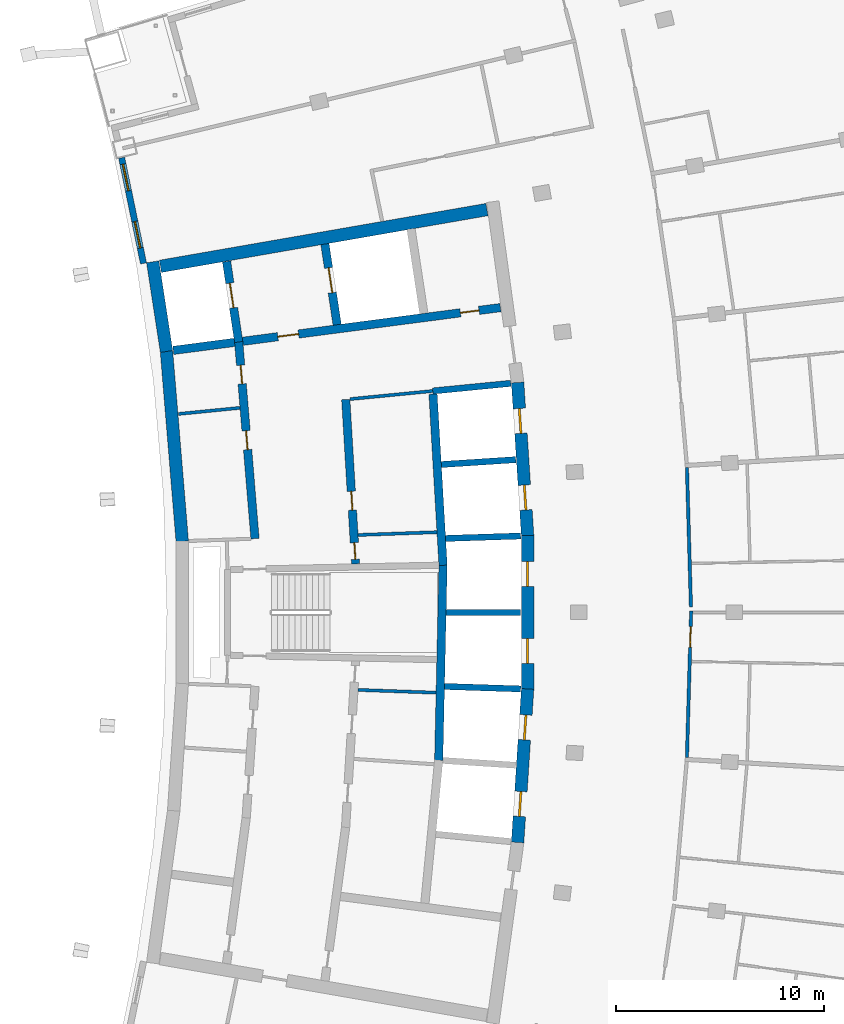
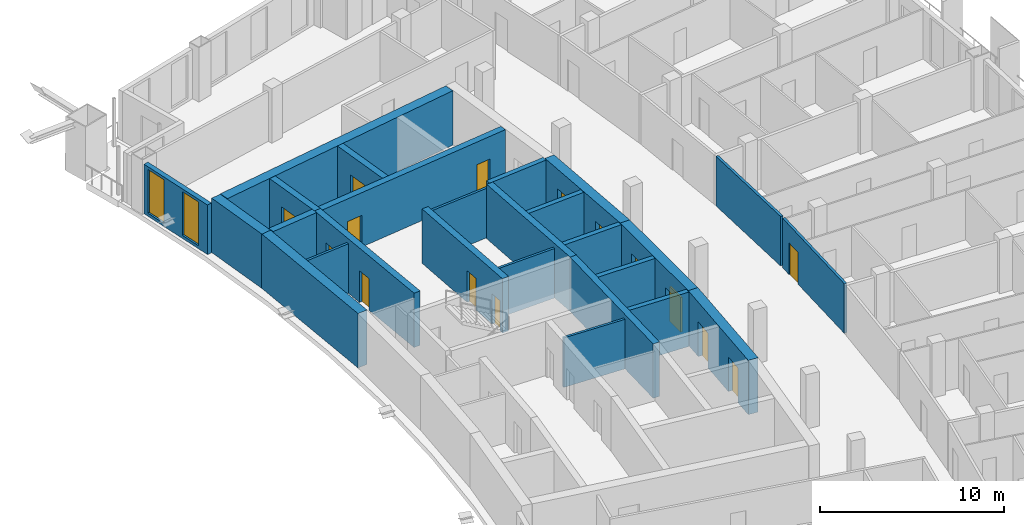
# One storey, part 12 of 21: 26 walls, 15 doors, 2 windows, 17 openings.
"""IFC4 building model written with IfcOpenShell, lengths in metres."""

import ifcopenshell
import ifcopenshell.guid

model = None  # the IFC model being written
_history = None  # IfcOwnerHistory: only IFC2X3 demands one
_inside = {}  # id of a spatial element -> (the spatial element, [elements in it])
_under = {}  # id of a project, library or spatial element -> (it, [spatial elements below it])
_declared = {}  # id of a project -> (the project, [libraries it declares])
_typed = {}  # id of a type object -> (the type object, [elements of that type])
_made_of = {}  # id of a material, layer set ... -> (it, [elements and type objects made of it])


def new_model(schema):
    """Start an empty IFC model of exactly this schema.

    Asked for "IFC4X3", IfcOpenShell would pick the latest addendum, in which some entities
    have other attributes; the version numbers below select the first issue.
    IFC2X3 requires an IfcOwnerHistory on every rooted entity: one is made here for all.
    """
    global model, _history
    if schema == "IFC4X3":
        model = ifcopenshell.file(schema_version=(4, 3, 0, 0))
    else:
        model = ifcopenshell.file(schema=schema)
    _inside.clear()
    _under.clear()
    _declared.clear()
    _typed.clear()
    _made_of.clear()
    _history = None
    if model.schema == "IFC2X3":
        org = make("IfcOrganization", Name="unknown")
        user = make(
            "IfcPersonAndOrganization",
            ThePerson=make("IfcPerson", FamilyName="unknown"),
            TheOrganization=org,
        )
        app = make(
            "IfcApplication",
            ApplicationDeveloper=org,
            Version="unknown",
            ApplicationFullName="unknown",
            ApplicationIdentifier="unknown",
        )
        _history = make(
            "IfcOwnerHistory",
            OwningUser=user,
            OwningApplication=app,
            ChangeAction="ADDED",
            CreationDate=0,
        )
    return model


def make(cls, **values):
    """One entity of the class cls with the attributes given. An attribute that is None is left unset."""
    return model.create_entity(
        cls, **{name: value for name, value in values.items() if value is not None}
    )


def rooted(cls, **values):
    """An entity with a GlobalId (a new one), such as an element, a storey or a relation."""
    return make(cls, GlobalId=ifcopenshell.guid.new(), OwnerHistory=_history, **values)


def si_unit(unit_type, name, prefix=None):
    """IfcSIUnit, for example si_unit("LENGTHUNIT", "METRE", prefix="MILLI")."""
    return make("IfcSIUnit", UnitType=unit_type, Prefix=prefix, Name=name)


def assignment(units):
    """IfcUnitAssignment: the units of a project."""
    return None if units is None else make("IfcUnitAssignment", Units=units)


def point(xyz):
    """IfcCartesianPoint."""
    return None if xyz is None else make("IfcCartesianPoint", Coordinates=xyz)


def direction(xyz):
    """IfcDirection."""
    return None if xyz is None else make("IfcDirection", DirectionRatios=xyz)


def frame(location, z_axis=None, x_axis=None):
    """IfcAxis2Placement3D, a coordinate frame: its origin and axes. An axis left out is left unset."""
    return make(
        "IfcAxis2Placement3D",
        Location=point(location),
        Axis=direction(z_axis),
        RefDirection=direction(x_axis),
    )


def frame_2d(location, x_axis=None):
    """IfcAxis2Placement2D, a coordinate frame in the plane: its origin and x axis."""
    return make(
        "IfcAxis2Placement2D", Location=point(location), RefDirection=direction(x_axis)
    )


def origin():
    """The frame at (0, 0, 0) with its axes left unset."""
    return frame((0.0, 0.0, 0.0))


def place(relative_to, where):
    """IfcLocalPlacement: puts the frame where relative to a parent placement (None: the world)."""
    return make(
        "IfcLocalPlacement", PlacementRelTo=relative_to, RelativePlacement=where
    )


def context(
    kind, dimensions, precision=None, world=None, true_north=None, identifier=None
):
    """IfcGeometricRepresentationContext, for example the 3D "Model" context."""
    return make(
        "IfcGeometricRepresentationContext",
        ContextIdentifier=identifier,
        ContextType=kind,
        CoordinateSpaceDimension=dimensions,
        Precision=precision,
        WorldCoordinateSystem=world,
        TrueNorth=true_north,
    )


def subcontext(parent, identifier, kind, view, scale=None):
    """IfcGeometricRepresentationSubContext, for example "Body" below "Model"."""
    return make(
        "IfcGeometricRepresentationSubContext",
        ContextIdentifier=identifier,
        ContextType=kind,
        ParentContext=parent,
        TargetScale=scale,
        TargetView=view,
    )


def project(units=None, contexts=None):
    """IfcProject with its units and contexts."""
    return rooted(
        "IfcProject",
        Name="project",
        RepresentationContexts=contexts,
        UnitsInContext=assignment(units),
    )


def spatial(cls, under=None, at=None, **own):
    """A site, building, storey or space (cls), placed at a placement, below another one or the project."""
    s = rooted(cls, ObjectPlacement=at, **own)
    if under is not None:
        _under.setdefault(under.id(), (under, []))[1].append(s)
    return s


def profile(cls, at=None, kind="AREA", **sizes):
    """A parametric profile (cls). Its sizes go by their IFC names, for example OverallWidth=200.0."""
    return make(cls, ProfileType=kind, Position=at, **sizes)


def rectangle(**sizes):
    """IfcRectangleProfileDef."""
    return profile("IfcRectangleProfileDef", **sizes)


def extrude(swept, where, along, depth):
    """IfcExtrudedAreaSolid: the profile swept, set in the frame where, extruded along a direction by depth."""
    return make(
        "IfcExtrudedAreaSolid",
        SweptArea=swept,
        Position=where,
        ExtrudedDirection=direction(along),
        Depth=depth,
    )


def shape(context_of_items, identifier, shape_type, items):
    """IfcShapeRepresentation: the items that make up one representation, for example the "Body"."""
    return make(
        "IfcShapeRepresentation",
        ContextOfItems=context_of_items,
        RepresentationIdentifier=identifier,
        RepresentationType=shape_type,
        Items=items,
    )


def material(Name=None, Category=None):
    """IfcMaterial."""
    return make("IfcMaterial", Name=Name, Category=Category)


def layer(
    of_material, thickness, ventilated=None, Name=None, Category=None, Priority=None
):
    """IfcMaterialLayer: one layer of a wall or slab, of a material (None: an air gap)."""
    return make(
        "IfcMaterialLayer",
        Material=of_material,
        LayerThickness=thickness,
        IsVentilated=ventilated,
        Name=Name,
        Category=Category,
        Priority=Priority,
    )


def layer_set(layers, Name=None):
    """IfcMaterialLayerSet."""
    return make("IfcMaterialLayerSet", MaterialLayers=layers, LayerSetName=Name)


def made_of(thing, what):
    """Note that an element or type object is made of a material, layer set ...; save() writes the relation."""
    if what is not None:
        _made_of.setdefault(what.id(), (what, []))[1].append(thing)
    return thing


def type_object(cls, material=None, **own):
    """A type object (cls), such as IfcWallType, which elements share."""
    return made_of(rooted(cls, **own), material)


def element(
    cls,
    number,
    at=None,
    inside=None,
    cuts=None,
    type_object=None,
    material=None,
    context=None,
    identifier="Body",
    shape_type=None,
    held_by="IfcProductDefinitionShape",
    body=None,
    shapes=None,
    **own,
):
    """One element of the class cls, such as IfcWall. Its Tag is "e" and its number.

    at: its placement. inside: the storey or other place that contains it. cuts: it is an
    opening in that element (IfcRelVoidsElement). A single representation is given by context,
    identifier, shape_type and body (its items); several are given by shapes. held_by: the class
    of the entity that holds the representations. save() writes the other relations.
    """
    e = rooted(cls, Tag="e%d" % number, ObjectPlacement=at, **own)
    if body is not None:
        shapes = [shape(context, identifier, shape_type, body)]
    if shapes is not None:
        e.Representation = make(held_by, Representations=shapes)
    if inside is not None:
        _inside.setdefault(inside.id(), (inside, []))[1].append(e)
    if cuts is not None:
        rooted(
            "IfcRelVoidsElement", RelatingBuildingElement=cuts, RelatedOpeningElement=e
        )
    if type_object is not None:
        _typed.setdefault(type_object.id(), (type_object, []))[1].append(e)
    return made_of(e, material)


def fill(opening, filler):
    """IfcRelFillsElement: the door or window that sits in an opening."""
    return rooted(
        "IfcRelFillsElement",
        RelatingOpeningElement=opening,
        RelatedBuildingElement=filler,
    )


def aggregate(whole, parts):
    """IfcRelAggregates: a whole, such as a stair, and the parts it consists of."""
    return rooted("IfcRelAggregates", RelatingObject=whole, RelatedObjects=parts)


def save(model, path):
    """Write the relations noted so far, then the file.

    IfcRelAggregates (storeys below a building ...), IfcRelContainedInSpatialStructure (elements
    in a storey), IfcRelDefinesByType, IfcRelAssociatesMaterial and IfcRelDeclares: one each for
    every whole, place, type object, material and project.
    """
    for whole, parts in _under.values():
        aggregate(whole, parts)
    for where, things in _inside.values():
        rooted(
            "IfcRelContainedInSpatialStructure",
            RelatedElements=things,
            RelatingStructure=where,
        )
    for kind, things in _typed.values():
        rooted("IfcRelDefinesByType", RelatedObjects=things, RelatingType=kind)
    for what, things in _made_of.values():
        rooted("IfcRelAssociatesMaterial", RelatedObjects=things, RelatingMaterial=what)
    for by, libraries in _declared.values():
        rooted("IfcRelDeclares", RelatingContext=by, RelatedDefinitions=libraries)
    model.write(path)


model = new_model("IFC4")

# Units and contexts
model_context = context("Model", 3, precision=1e-05, world=origin(), true_north=direction((0.0, 1.0)))
body_context = subcontext(model_context, "Body", "Model", "MODEL_VIEW")
ifc_project = project(units=[si_unit("LENGTHUNIT", "METRE"), si_unit("AREAUNIT", "SQUARE_METRE"), si_unit("VOLUMEUNIT", "CUBIC_METRE"), si_unit("PLANEANGLEUNIT", "RADIAN"), si_unit("MASSUNIT", "GRAM", prefix="KILO")], contexts=[model_context])

# Site, building, storey
site_placement = place(None, origin())
site = spatial("IfcSite", under=ifc_project, at=site_placement, CompositionType="ELEMENT")
building_placement = place(site_placement, origin())
building = spatial("IfcBuilding", under=site, at=building_placement, Name="Alderwake Tower", CompositionType="ELEMENT")
storey_placement = place(building_placement, frame((0.0, 0.0, 207.199951171875)))
storey = spatial("IfcBuildingStorey", under=building, at=storey_placement, Name="L51", CompositionType="ELEMENT", Elevation=207.199951171875)

# Walls
ifc_material_1 = material(Name="Gypsum shaft wall system, rated")
ifc_layer_1 = layer(ifc_material_1, 0.14990234375)
ifc_layer_set_1 = layer_set([ifc_layer_1], Name="Core riser partition 150")
wall_type_1 = type_object("IfcWallType", Name="Core riser partition 150", PredefinedType="PARTITIONING", material=ifc_layer_set_1)
wall_1_placement = place(storey_placement, frame((25.1904296875, 57.276611328125, 0.0), z_axis=(0.0, 0.0, 1.0), x_axis=(0.99937350076, -0.035392173974, 0.0)))
element("IfcWall", 1, at=wall_1_placement, inside=storey, type_object=wall_type_1, Name="CW/L51/PR-37_+86", PredefinedType="PARTITIONING", context=body_context, shape_type="SweptSolid", body=[
    extrude(rectangle(XDim=3.752685546875, YDim=0.14990234375, at=frame_2d((1.87646484375, 0.0))), origin(), (0.0, 0.0, 1.0), 3.280029296875),
])
wall_2_placement = place(storey_placement, frame((25.191162109375, 64.723388671875, 0.0), z_axis=(0.0, 0.0, 1.0), x_axis=(0.999373627871, 0.035388584556, 0.0)))
element("IfcWall", 2, at=wall_2_placement, inside=storey, type_object=wall_type_1, Name="CW/L51/PR+37_+86", PredefinedType="PARTITIONING", context=body_context, shape_type="SweptSolid", body=[
    extrude(rectangle(XDim=3.79443359375, YDim=0.14990234375, at=frame_2d((1.897216796875, 0.0))), origin(), (0.0, 0.0, 1.0), 3.280029296875),
])
ifc_material_2 = material(Name="Gypsum shaft wall system, rated")
ifc_layer_2 = layer(ifc_material_2, 0.14990234375)
ifc_layer_set_2 = layer_set([ifc_layer_2], Name="Core room partition 150")
wall_type_2 = type_object("IfcWallType", Name="Core room partition 150", PredefinedType="PARTITIONING", material=ifc_layer_set_2)
wall_3_placement = place(storey_placement, frame((24.799560546875, 71.2548828125, 0.0), z_axis=(0.0, 0.0, 1.0), x_axis=(0.995250000627, 0.097352125046, 0.0)))
element("IfcWall", 3, at=wall_3_placement, inside=storey, type_object=wall_type_2, Name="CW/L51/PR+102_+86", PredefinedType="PARTITIONING", context=body_context, shape_type="SweptSolid", body=[
    extrude(rectangle(XDim=4.0, YDim=0.14990234375, at=frame_2d((2.0, 0.0))), origin(), (0.0, 0.0, 1.0), 3.280029296875),
])
wall_4_placement = place(storey_placement, frame((16.563232421875, 70.5419921875, 0.0), z_axis=(0.0, 0.0, 1.0), x_axis=(0.995152224128, 0.098346585166, 0.0)))
element("IfcWall", 4, at=wall_4_placement, inside=storey, type_object=wall_type_2, Name="CW/L51/PR+103_+0", PredefinedType="PARTITIONING", context=body_context, shape_type="SweptSolid", body=[
    extrude(rectangle(XDim=2.966552734375, YDim=0.14990234375, at=frame_2d((1.4833984375, 0.0))), origin(), (0.0, 0.0, 1.0), 3.280029296875),
])
ifc_material_3 = material(Name="Concrete C70/85", Category="concrete")
ifc_layer_3 = layer(ifc_material_3, 0.60009765625)
ifc_layer_set_3 = layer_set([ifc_layer_3], Name="Core wall outer 600 C70-85")
wall_type_3 = type_object("IfcWallType", Name="Core wall outer 600 C70-85", PredefinedType="SHEAR", material=ifc_layer_set_3)
wall_5_placement = place(storey_placement, frame((16.740478515625, 64.411376953125, 0.0), z_axis=(0.0, 0.0, 1.0), x_axis=(-0.082614307012, 0.996581595393, 0.0)))
element("IfcWall", 5, at=wall_5_placement, inside=storey, type_object=wall_type_3, Name="Core wall CW.035", PredefinedType="SHEAR", context=body_context, shape_type="SweptSolid", body=[
    extrude(rectangle(XDim=9.184814453125, YDim=0.60009765625, at=frame_2d((4.59228515625, 0.0))), origin(), (0.0, 0.0, 1.0), 3.60009765625),
])
wall_6_placement = place(storey_placement, frame((15.984130859375, 73.54296875, 0.0), z_axis=(0.0, 0.0, 1.0), x_axis=(-0.151922578304, 0.988392396876, 0.0)))
element("IfcWall", 6, at=wall_6_placement, inside=storey, type_object=wall_type_3, Name="Core wall CW.034", PredefinedType="SHEAR", context=body_context, shape_type="SweptSolid", body=[
    extrude(rectangle(XDim=4.361328125, YDim=0.60009765625, at=frame_2d((2.1806640625, 0.0))), origin(), (0.0, 0.0, 1.0), 3.60009765625),
])

# Wall, openings, doors
wall_7_placement = place(storey_placement, frame((32.860107421875, 49.9453125, 0.0), z_axis=(0.0, 0.0, 1.0), x_axis=(0.065013379938, 0.997884392317, 0.0)))
wall_7 = element("IfcWall", 7, at=wall_7_placement, inside=storey, type_object=wall_type_3, Name="Core wall CW.016", PredefinedType="SHEAR", context=body_context, shape_type="SweptSolid", body=[
    extrude(rectangle(XDim=7.39404296875, YDim=0.60009765625, at=frame_2d((3.697021484375, 0.0))), origin(), (0.0, 0.0, 1.0), 3.60009765625),
])
opening_1_placement = place(wall_7_placement, frame((1.254150390625, 0.0, 0.0)))
opening_1 = element("IfcOpeningElement", 8, at=opening_1_placement, cuts=wall_7, Name="Opening LD-HP1", PredefinedType="OPENING", context=body_context, shape_type="SweptSolid", body=[
    extrude(rectangle(XDim=1.199951171875, YDim=2.300048828125, at=frame_2d((0.60009765625, 1.14990234375))), frame((0.0, 0.31005859375, 0.0), z_axis=(0.0, -1.0, 0.0), x_axis=(1.0, 0.0, 0.0)), (0.0, 0.0, 1.0), 0.6201171875),
])
opening_2_placement = place(wall_7_placement, frame((4.941162109375, 0.0, 0.0)))
opening_2 = element("IfcOpeningElement", 9, at=opening_2_placement, cuts=wall_7, Name="Opening LD-HP2", PredefinedType="OPENING", context=body_context, shape_type="SweptSolid", body=[
    extrude(rectangle(XDim=1.199951171875, YDim=2.300048828125, at=frame_2d((0.60009765625, 1.14990234375))), frame((0.0, 0.31005859375, 0.0), z_axis=(0.0, -1.0, 0.0), x_axis=(1.0, 0.0, 0.0)), (0.0, 0.0, 1.0), 0.6201171875),
])
ifc_material_4 = material(Name="Stainless steel sliding leaf", Category="steel")
door_type_1 = type_object("IfcDoorType", Name="Lift landing door 1200", OperationType="SLIDING_TO_LEFT", PredefinedType="DOOR", material=ifc_material_4)
door_1_placement = place(opening_1_placement, origin())
door_1 = element("IfcDoor", 10, at=door_1_placement, inside=storey, type_object=door_type_1, Name="Lift landing door HP1", OperationType="SLIDING_TO_LEFT", OverallHeight=2.300048828125, OverallWidth=1.199951171875, PredefinedType="DOOR", context=body_context, shape_type="SweptSolid", body=[
    extrude(rectangle(XDim=1.199951171875, YDim=2.300048828125, at=frame_2d((0.60009765625, 1.14990234375))), frame((0.0, 0.050048828125, 0.0), z_axis=(0.0, -1.0, 0.0), x_axis=(1.0, 0.0, 0.0)), (0.0, 0.0, 1.0), 0.10009765625),
])
fill(opening_1, door_1)
door_2_placement = place(opening_2_placement, origin())
door_2 = element("IfcDoor", 11, at=door_2_placement, inside=storey, type_object=door_type_1, Name="Lift landing door HP2", OperationType="SLIDING_TO_LEFT", OverallHeight=2.300048828125, OverallWidth=1.199951171875, PredefinedType="DOOR", context=body_context, shape_type="SweptSolid", body=[
    extrude(rectangle(XDim=1.199951171875, YDim=2.300048828125, at=frame_2d((0.60009765625, 1.14990234375))), frame((0.0, 0.050048828125, 0.0), z_axis=(0.0, -1.0, 0.0), x_axis=(1.0, 0.0, 0.0)), (0.0, 0.0, 1.0), 0.10009765625),
])
fill(opening_2, door_2)

wall_8_placement = place(storey_placement, frame((33.340087890625, 57.30322265625, 0.0), z_axis=(0.0, 0.0, 1.0), x_axis=(0.0, 1.0, 0.0)))
wall_8 = element("IfcWall", 12, at=wall_8_placement, inside=storey, type_object=wall_type_3, Name="Core wall CW.018", PredefinedType="SHEAR", context=body_context, shape_type="SweptSolid", body=[
    extrude(rectangle(XDim=7.3935546875, YDim=0.60009765625, at=frame_2d((3.69677734375, 0.0))), origin(), (0.0, 0.0, 1.0), 3.60009765625),
])
opening_3_placement = place(wall_8_placement, frame((1.25341796875, 0.0, 0.0)))
opening_3 = element("IfcOpeningElement", 13, at=opening_3_placement, cuts=wall_8, Name="Opening LD-HP3", PredefinedType="OPENING", context=body_context, shape_type="SweptSolid", body=[
    extrude(rectangle(XDim=1.199951171875, YDim=2.300048828125, at=frame_2d((0.60009765625, 1.14990234375))), frame((0.0, 0.31005859375, 0.0), z_axis=(0.0, -1.0, 0.0), x_axis=(1.0, 0.0, 0.0)), (0.0, 0.0, 1.0), 0.6201171875),
])
opening_4_placement = place(wall_8_placement, frame((4.940185546875, 0.0, 0.0)))
opening_4 = element("IfcOpeningElement", 14, at=opening_4_placement, cuts=wall_8, Name="Opening LD-HP4", PredefinedType="OPENING", context=body_context, shape_type="SweptSolid", body=[
    extrude(rectangle(XDim=1.199951171875, YDim=2.300048828125, at=frame_2d((0.60009765625, 1.14990234375))), frame((0.0, 0.31005859375, 0.0), z_axis=(0.0, -1.0, 0.0), x_axis=(1.0, 0.0, 0.0)), (0.0, 0.0, 1.0), 0.6201171875),
])
door_3_placement = place(opening_3_placement, origin())
door_3 = element("IfcDoor", 15, at=door_3_placement, inside=storey, type_object=door_type_1, Name="Lift landing door HP3", OperationType="SLIDING_TO_LEFT", OverallHeight=2.300048828125, OverallWidth=1.199951171875, PredefinedType="DOOR", context=body_context, shape_type="SweptSolid", body=[
    extrude(rectangle(XDim=1.199951171875, YDim=2.300048828125, at=frame_2d((0.60009765625, 1.14990234375))), frame((0.0, 0.050048828125, 0.0), z_axis=(0.0, -1.0, 0.0), x_axis=(1.0, 0.0, 0.0)), (0.0, 0.0, 1.0), 0.10009765625),
])
fill(opening_3, door_3)
door_4_placement = place(opening_4_placement, origin())
door_4 = element("IfcDoor", 16, at=door_4_placement, inside=storey, type_object=door_type_1, Name="Lift landing door HP4", OperationType="SLIDING_TO_LEFT", OverallHeight=2.300048828125, OverallWidth=1.199951171875, PredefinedType="DOOR", context=body_context, shape_type="SweptSolid", body=[
    extrude(rectangle(XDim=1.199951171875, YDim=2.300048828125, at=frame_2d((0.60009765625, 1.14990234375))), frame((0.0, 0.050048828125, 0.0), z_axis=(0.0, -1.0, 0.0), x_axis=(1.0, 0.0, 0.0)), (0.0, 0.0, 1.0), 0.10009765625),
])
fill(opening_4, door_4)

wall_9_placement = place(storey_placement, frame((33.3408203125, 64.67626953125, 0.0), z_axis=(0.0, 0.0, 1.0), x_axis=(-0.065013379938, 0.997884392317, 0.0)))
wall_9 = element("IfcWall", 17, at=wall_9_placement, inside=storey, type_object=wall_type_3, Name="Core wall CW.015", PredefinedType="SHEAR", context=body_context, shape_type="SweptSolid", body=[
    extrude(rectangle(XDim=7.39404296875, YDim=0.60009765625, at=frame_2d((3.697021484375, 0.0))), origin(), (0.0, 0.0, 1.0), 3.60009765625),
])
opening_5_placement = place(wall_9_placement, frame((1.253173828125, 0.0, 0.0)))
opening_5 = element("IfcOpeningElement", 18, at=opening_5_placement, cuts=wall_9, Name="Opening LD-HP5", PredefinedType="OPENING", context=body_context, shape_type="SweptSolid", body=[
    extrude(rectangle(XDim=1.199951171875, YDim=2.300048828125, at=frame_2d((0.60009765625, 1.14990234375))), frame((0.0, 0.31005859375, 0.0), z_axis=(0.0, -1.0, 0.0), x_axis=(1.0, 0.0, 0.0)), (0.0, 0.0, 1.0), 0.6201171875),
])
opening_6_placement = place(wall_9_placement, frame((4.940185546875, 0.0, 0.0)))
opening_6 = element("IfcOpeningElement", 19, at=opening_6_placement, cuts=wall_9, Name="Opening LD-HP6", PredefinedType="OPENING", context=body_context, shape_type="SweptSolid", body=[
    extrude(rectangle(XDim=1.199951171875, YDim=2.300048828125, at=frame_2d((0.60009765625, 1.14990234375))), frame((0.0, 0.31005859375, 0.0), z_axis=(0.0, -1.0, 0.0), x_axis=(1.0, 0.0, 0.0)), (0.0, 0.0, 1.0), 0.6201171875),
])
door_5_placement = place(opening_5_placement, origin())
door_5 = element("IfcDoor", 20, at=door_5_placement, inside=storey, type_object=door_type_1, Name="Lift landing door HP5", OperationType="SLIDING_TO_LEFT", OverallHeight=2.300048828125, OverallWidth=1.199951171875, PredefinedType="DOOR", context=body_context, shape_type="SweptSolid", body=[
    extrude(rectangle(XDim=1.199951171875, YDim=2.300048828125, at=frame_2d((0.60009765625, 1.14990234375))), frame((0.0, 0.050048828125, 0.0), z_axis=(0.0, -1.0, 0.0), x_axis=(1.0, 0.0, 0.0)), (0.0, 0.0, 1.0), 0.10009765625),
])
fill(opening_5, door_5)
door_6_placement = place(opening_6_placement, origin())
door_6 = element("IfcDoor", 21, at=door_6_placement, inside=storey, type_object=door_type_1, Name="Lift landing door HP6", OperationType="SLIDING_TO_LEFT", OverallHeight=2.300048828125, OverallWidth=1.199951171875, PredefinedType="DOOR", context=body_context, shape_type="SweptSolid", body=[
    extrude(rectangle(XDim=1.199951171875, YDim=2.300048828125, at=frame_2d((0.60009765625, 1.14990234375))), frame((0.0, 0.050048828125, 0.0), z_axis=(0.0, -1.0, 0.0), x_axis=(1.0, 0.0, 0.0)), (0.0, 0.0, 1.0), 0.10009765625),
])
fill(opening_6, door_6)

# Walls
wall_10_placement = place(storey_placement, frame((15.68896484375, 77.6357421875, 0.0), z_axis=(0.0, 0.0, 1.0), x_axis=(0.985223223422, 0.17127521721, 0.0)))
element("IfcWall", 22, at=wall_10_placement, inside=storey, type_object=wall_type_3, Name="Core wall CW.055", PredefinedType="SHEAR", context=body_context, shape_type="SweptSolid", body=[
    extrude(rectangle(XDim=15.933349609375, YDim=0.60009765625, at=frame_2d((7.966796875, 0.0))), origin(), (0.0, 0.0, 1.0), 3.60009765625),
])
ifc_material_5 = material(Name="Concrete C70/85", Category="concrete")
ifc_layer_4 = layer(ifc_material_5, 0.300048828125)
ifc_layer_set_4 = layer_set([ifc_layer_4], Name="Core wall shaft 300 C70-85")
wall_type_4 = type_object("IfcWallType", Name="Core wall shaft 300 C70-85", PredefinedType="SHEAR", material=ifc_layer_set_4)
wall_11_placement = place(storey_placement, frame((29.347412109375, 57.443603515625, 0.0), z_axis=(0.0, 0.0, 1.0), x_axis=(0.99946918462, -0.032578351638, 0.0)))
element("IfcWall", 23, at=wall_11_placement, inside=storey, type_object=wall_type_4, Name="Core wall CW.075", PredefinedType="SHEAR", context=body_context, shape_type="SweptSolid", body=[
    extrude(rectangle(XDim=3.66455078125, YDim=0.300048828125, at=frame_2d((1.832275390625, 0.0))), origin(), (0.0, 0.0, 1.0), 3.60009765625),
])
wall_12_placement = place(storey_placement, frame((29.426025390625, 61.0, 0.0), z_axis=(0.0, 0.0, 1.0), x_axis=(1.0, 0.0, 0.0)))
element("IfcWall", 24, at=wall_12_placement, inside=storey, type_object=wall_type_4, Name="Core wall CW.048", PredefinedType="SHEAR", context=body_context, shape_type="SweptSolid", body=[
    extrude(rectangle(XDim=3.583984375, YDim=0.300048828125, at=frame_2d((1.7919921875, 0.0))), origin(), (0.0, 0.0, 1.0), 3.60009765625),
])
wall_13_placement = place(storey_placement, frame((29.401611328125, 64.558349609375, 0.0), z_axis=(0.0, 0.0, 1.0), x_axis=(0.999470865009, 0.032526758191, 0.0)))
element("IfcWall", 25, at=wall_13_placement, inside=storey, type_object=wall_type_4, Name="Core wall CW.058", PredefinedType="SHEAR", context=body_context, shape_type="SweptSolid", body=[
    extrude(rectangle(XDim=3.6103515625, YDim=0.300048828125, at=frame_2d((1.80517578125, 0.0))), origin(), (0.0, 0.0, 1.0), 3.60009765625),
])
wall_14_placement = place(storey_placement, frame((29.193603515625, 68.110595703125, 0.0), z_axis=(0.0, 0.0, 1.0), x_axis=(0.997887597979, 0.064964157805, 0.0)))
element("IfcWall", 26, at=wall_14_placement, inside=storey, type_object=wall_type_4, Name="Core wall CW.061", PredefinedType="SHEAR", context=body_context, shape_type="SweptSolid", body=[
    extrude(rectangle(XDim=3.585205078125, YDim=0.300048828125, at=frame_2d((1.79248046875, 0.0))), origin(), (0.0, 0.0, 1.0), 3.60009765625),
])
wall_15_placement = place(storey_placement, frame((28.780517578125, 71.644287109375, 0.0), z_axis=(0.0, 0.0, 1.0), x_axis=(0.995245280185, 0.097400370992, 0.0)))
element("IfcWall", 27, at=wall_15_placement, inside=storey, type_object=wall_type_4, Name="Core wall CW.049", PredefinedType="SHEAR", context=body_context, shape_type="SweptSolid", body=[
    extrude(rectangle(XDim=3.769775390625, YDim=0.300048828125, at=frame_2d((1.884765625, 0.0))), origin(), (0.0, 0.0, 1.0), 3.60009765625),
])

# Wall, openings, doors
ifc_material_6 = material(Name="Concrete C70/85", Category="concrete")
ifc_layer_5 = layer(ifc_material_6, 0.39990234375)
ifc_layer_set_5 = layer_set([ifc_layer_5], Name="Core wall spine 400 C70-85")
wall_type_5 = type_object("IfcWallType", Name="Core wall spine 400 C70-85", PredefinedType="SHEAR", material=ifc_layer_set_5)
wall_16_placement = place(storey_placement, frame((19.452392578125, 74.014892578125, 0.0), z_axis=(0.0, 0.0, 1.0), x_axis=(0.082628585297, -0.996580411654, 0.0)))
wall_16 = element("IfcWall", 28, at=wall_16_placement, inside=storey, type_object=wall_type_5, Name="Core wall CW.031", PredefinedType="SHEAR", context=body_context, shape_type="SweptSolid", body=[
    extrude(rectangle(XDim=9.499267578125, YDim=0.39990234375, at=frame_2d((4.74951171875, 0.0))), origin(), (0.0, 0.0, 1.0), 3.60009765625),
])
opening_7_placement = place(wall_16_placement, frame((4.30322265625, 0.0, 0.0)))
opening_7 = element("IfcOpeningElement", 29, at=opening_7_placement, cuts=wall_16, Name="Opening C052", PredefinedType="OPENING", context=body_context, shape_type="SweptSolid", body=[
    extrude(rectangle(XDim=0.89990234375, YDim=2.10009765625, at=frame_2d((0.449951171875, 1.050048828125))), frame((0.0, 0.2099609375, 0.0), z_axis=(0.0, -1.0, 0.0), x_axis=(1.0, 0.0, 0.0)), (0.0, 0.0, 1.0), 0.419921875),
])
opening_8_placement = place(wall_16_placement, frame((1.138671875, 0.0, 0.0)))
opening_8 = element("IfcOpeningElement", 30, at=opening_8_placement, cuts=wall_16, Name="Opening C056", PredefinedType="OPENING", context=body_context, shape_type="SweptSolid", body=[
    extrude(rectangle(XDim=0.89990234375, YDim=2.10009765625, at=frame_2d((0.449951171875, 1.050048828125))), frame((0.0, 0.2099609375, 0.0), z_axis=(0.0, -1.0, 0.0), x_axis=(1.0, 0.0, 0.0)), (0.0, 0.0, 1.0), 0.419921875),
])
ifc_material_7 = material(Name="Painted steel leaf", Category="steel")
door_type_2 = type_object("IfcDoorType", Name="Core room door 900", OperationType="SINGLE_SWING_LEFT", PredefinedType="DOOR", material=ifc_material_7)
door_7_placement = place(opening_7_placement, origin())
door_7 = element("IfcDoor", 31, at=door_7_placement, inside=storey, type_object=door_type_2, Name="Room door", OperationType="SINGLE_SWING_LEFT", OverallHeight=2.10009765625, OverallWidth=0.89990234375, PredefinedType="DOOR", context=body_context, shape_type="SweptSolid", body=[
    extrude(rectangle(XDim=0.89990234375, YDim=2.10009765625, at=frame_2d((0.449951171875, 1.050048828125))), frame((0.0, 0.02490234375, 0.0), z_axis=(0.0, -1.0, 0.0), x_axis=(1.0, 0.0, 0.0)), (0.0, 0.0, 1.0), 0.050048828125),
])
fill(opening_7, door_7)
door_8_placement = place(opening_8_placement, origin())
door_8 = element("IfcDoor", 32, at=door_8_placement, inside=storey, type_object=door_type_2, Name="Room door", OperationType="SINGLE_SWING_RIGHT", OverallHeight=2.10009765625, OverallWidth=0.89990234375, PredefinedType="DOOR", context=body_context, shape_type="SweptSolid", body=[
    extrude(rectangle(XDim=0.89990234375, YDim=2.10009765625, at=frame_2d((0.449951171875, 1.050048828125))), frame((0.0, 0.02490234375, 0.0), z_axis=(0.0, -1.0, 0.0), x_axis=(1.0, 0.0, 0.0)), (0.0, 0.0, 1.0), 0.050048828125),
])
fill(opening_8, door_8)

# Wall, opening, door
wall_17_placement = place(storey_placement, frame((19.4541015625, 74.00048828125, 0.0), z_axis=(0.0, 0.0, 1.0), x_axis=(-0.148977743105, 0.98884054936, 0.0)))
wall_17 = element("IfcWall", 33, at=wall_17_placement, inside=storey, type_object=wall_type_5, Name="Core wall CW.030", PredefinedType="SHEAR", context=body_context, shape_type="SweptSolid", body=[
    extrude(rectangle(XDim=3.9150390625, YDim=0.39990234375, at=frame_2d((1.95751953125, 0.0))), origin(), (0.0, 0.0, 1.0), 3.60009765625),
])
opening_9_placement = place(wall_17_placement, frame((1.6611328125, 0.0, 0.0)))
opening_9 = element("IfcOpeningElement", 34, at=opening_9_placement, cuts=wall_17, Name="Opening LD-FF1", PredefinedType="OPENING", context=body_context, shape_type="SweptSolid", body=[
    extrude(rectangle(XDim=1.199951171875, YDim=2.300048828125, at=frame_2d((0.60009765625, 1.14990234375))), frame((0.0, 0.2099609375, 0.0), z_axis=(0.0, -1.0, 0.0), x_axis=(1.0, 0.0, 0.0)), (0.0, 0.0, 1.0), 0.419921875),
])
door_9_placement = place(opening_9_placement, origin())
door_9 = element("IfcDoor", 35, at=door_9_placement, inside=storey, type_object=door_type_1, Name="Lift landing door FF1", OperationType="SLIDING_TO_LEFT", OverallHeight=2.300048828125, OverallWidth=1.199951171875, PredefinedType="DOOR", context=body_context, shape_type="SweptSolid", body=[
    extrude(rectangle(XDim=1.199951171875, YDim=2.300048828125, at=frame_2d((0.60009765625, 1.14990234375))), frame((0.0, 0.02490234375, 0.0), z_axis=(0.0, -1.0, 0.0), x_axis=(1.0, 0.0, 0.0)), (0.0, 0.0, 1.0), 0.050048828125),
])
fill(opening_9, door_9)

# Wall, openings, doors
wall_18_placement = place(storey_placement, frame((25.073974609375, 63.335693359375, 0.0), z_axis=(0.0, 0.0, 1.0), x_axis=(-0.059848641072, 0.998207463487, 0.0)))
wall_18 = element("IfcWall", 36, at=wall_18_placement, inside=storey, type_object=wall_type_5, Name="Core wall CW.045", PredefinedType="SHEAR", context=body_context, shape_type="SweptSolid", body=[
    extrude(rectangle(XDim=7.913818359375, YDim=0.39990234375, at=frame_2d((3.95703125, 0.0))), origin(), (0.0, 0.0, 1.0), 3.60009765625),
])
opening_10_placement = place(wall_18_placement, frame((0.216064453125, 0.0, 0.0)))
opening_10 = element("IfcOpeningElement", 37, at=opening_10_placement, cuts=wall_18, Name="Opening C005", PredefinedType="OPENING", context=body_context, shape_type="SweptSolid", body=[
    extrude(rectangle(XDim=0.800048828125, YDim=2.0, at=frame_2d((0.39990234375, 1.0))), frame((0.0, 0.2099609375, 0.0), z_axis=(0.0, -1.0, 0.0), x_axis=(1.0, 0.0, 0.0)), (0.0, 0.0, 1.0), 0.419921875),
])
opening_11_placement = place(wall_18_placement, frame((2.590087890625, 0.0, 0.0)))
opening_11 = element("IfcOpeningElement", 38, at=opening_11_placement, cuts=wall_18, Name="Opening C057", PredefinedType="OPENING", context=body_context, shape_type="SweptSolid", body=[
    extrude(rectangle(XDim=0.89990234375, YDim=2.10009765625, at=frame_2d((0.449951171875, 1.050048828125))), frame((0.0, 0.2099609375, 0.0), z_axis=(0.0, -1.0, 0.0), x_axis=(1.0, 0.0, 0.0)), (0.0, 0.0, 1.0), 0.419921875),
])
door_10_placement = place(opening_11_placement, origin())
door_10 = element("IfcDoor", 39, at=door_10_placement, inside=storey, type_object=door_type_2, Name="Room door", OperationType="SINGLE_SWING_LEFT", OverallHeight=2.10009765625, OverallWidth=0.89990234375, PredefinedType="DOOR", context=body_context, shape_type="SweptSolid", body=[
    extrude(rectangle(XDim=0.89990234375, YDim=2.10009765625, at=frame_2d((0.449951171875, 1.050048828125))), frame((0.0, 0.02490234375, 0.0), z_axis=(0.0, -1.0, 0.0), x_axis=(1.0, 0.0, 0.0)), (0.0, 0.0, 1.0), 0.050048828125),
])
fill(opening_11, door_10)
ifc_material_8 = material(Name="Painted steel leaf, rated", Category="steel")
door_type_3 = type_object("IfcDoorType", Name="Riser access door 800", OperationType="SINGLE_SWING_LEFT", PredefinedType="DOOR", material=ifc_material_8)
door_11_placement = place(opening_10_placement, origin())
door_11 = element("IfcDoor", 40, at=door_11_placement, inside=storey, type_object=door_type_3, Name="Riser access door", OperationType="SINGLE_SWING_LEFT", OverallHeight=2.0, OverallWidth=0.800048828125, PredefinedType="DOOR", context=body_context, shape_type="SweptSolid", body=[
    extrude(rectangle(XDim=0.800048828125, YDim=2.0, at=frame_2d((0.39990234375, 1.0))), frame((0.0, 0.02490234375, 0.0), z_axis=(0.0, -1.0, 0.0), x_axis=(1.0, 0.0, 0.0)), (0.0, 0.0, 1.0), 0.050048828125),
])
fill(opening_10, door_11)

# Wall, opening, door
wall_19_placement = place(storey_placement, frame((24.186279296875, 74.82861328125, 0.0), z_axis=(0.0, 0.0, 1.0), x_axis=(-0.150092938275, 0.988671891924, 0.0)))
wall_19 = element("IfcWall", 41, at=wall_19_placement, inside=storey, type_object=wall_type_5, Name="Core wall CW.044", PredefinedType="SHEAR", context=body_context, shape_type="SweptSolid", body=[
    extrude(rectangle(XDim=3.92333984375, YDim=0.39990234375, at=frame_2d((1.961669921875, 0.0))), origin(), (0.0, 0.0, 1.0), 3.60009765625),
])
opening_12_placement = place(wall_19_placement, frame((1.561767578125, 0.0, 0.0)))
opening_12 = element("IfcOpeningElement", 42, at=opening_12_placement, cuts=wall_19, Name="Opening LD-FF2", PredefinedType="OPENING", context=body_context, shape_type="SweptSolid", body=[
    extrude(rectangle(XDim=1.199951171875, YDim=2.300048828125, at=frame_2d((0.60009765625, 1.14990234375))), frame((0.0, 0.2099609375, 0.0), z_axis=(0.0, -1.0, 0.0), x_axis=(1.0, 0.0, 0.0)), (0.0, 0.0, 1.0), 0.419921875),
])
door_12_placement = place(opening_12_placement, origin())
door_12 = element("IfcDoor", 43, at=door_12_placement, inside=storey, type_object=door_type_1, Name="Lift landing door FF2", OperationType="SLIDING_TO_LEFT", OverallHeight=2.300048828125, OverallWidth=1.199951171875, PredefinedType="DOOR", context=body_context, shape_type="SweptSolid", body=[
    extrude(rectangle(XDim=1.199951171875, YDim=2.300048828125, at=frame_2d((0.60009765625, 1.14990234375))), frame((0.0, 0.02490234375, 0.0), z_axis=(0.0, -1.0, 0.0), x_axis=(1.0, 0.0, 0.0)), (0.0, 0.0, 1.0), 0.050048828125),
])
fill(opening_12, door_12)

# Walls
wall_20_placement = place(storey_placement, frame((29.06884765625, 53.8896484375, 0.0), z_axis=(0.0, 0.0, 1.0), x_axis=(0.022115722908, 0.99975541749, 0.0)))
element("IfcWall", 44, at=wall_20_placement, inside=storey, type_object=wall_type_5, Name="Core wall CW.008", PredefinedType="SHEAR", context=body_context, shape_type="SweptSolid", body=[
    extrude(rectangle(XDim=9.394287109375, YDim=0.39990234375, at=frame_2d((4.697265625, 0.0))), origin(), (0.0, 0.0, 1.0), 3.60009765625),
])
wall_21_placement = place(storey_placement, frame((29.27685546875, 63.2646484375, 0.0), z_axis=(0.0, 0.0, 1.0), x_axis=(-0.0584546922, 0.998290062537, 0.0)))
element("IfcWall", 45, at=wall_21_placement, inside=storey, type_object=wall_type_5, Name="Core wall CW.002", PredefinedType="SHEAR", context=body_context, shape_type="SweptSolid", body=[
    extrude(rectangle(XDim=8.24462890625, YDim=0.39990234375, at=frame_2d((4.122314453125, 0.0))), origin(), (0.0, 0.0, 1.0), 3.60009765625),
])
wall_22_placement = place(storey_placement, frame((16.31005859375, 73.5966796875, 0.0), z_axis=(0.0, 0.0, 1.0), x_axis=(0.99155863891, 0.12965903595, 0.0)))
element("IfcWall", 46, at=wall_22_placement, inside=storey, type_object=wall_type_5, Name="Core wall CW.051", PredefinedType="SHEAR", context=body_context, shape_type="SweptSolid", body=[
    extrude(rectangle(XDim=2.969482421875, YDim=0.39990234375, at=frame_2d((1.48486328125, 0.0))), origin(), (0.0, 0.0, 1.0), 3.60009765625),
])

# Wall, openings, doors
wall_23_placement = place(storey_placement, frame((32.032958984375, 75.653076171875, 0.0), z_axis=(0.0, 0.0, 1.0), x_axis=(-0.991554886316, -0.129687730428, 0.0)))
wall_23 = element("IfcWall", 47, at=wall_23_placement, inside=storey, type_object=wall_type_5, Name="Core wall CW.052", PredefinedType="SHEAR", context=body_context, shape_type="SweptSolid", body=[
    extrude(rectangle(XDim=12.48681640625, YDim=0.39990234375, at=frame_2d((6.243408203125, 0.0))), origin(), (0.0, 0.0, 1.0), 3.60009765625),
])
opening_13_placement = place(wall_23_placement, frame((9.787109375, 0.0, 0.0)))
opening_13 = element("IfcOpeningElement", 48, at=opening_13_placement, cuts=wall_23, Name="Opening C002", PredefinedType="OPENING", context=body_context, shape_type="SweptSolid", body=[
    extrude(rectangle(XDim=1.0, YDim=2.10009765625, at=frame_2d((0.5, 1.050048828125))), frame((0.0, 0.2099609375, 0.0), z_axis=(0.0, -1.0, 0.0), x_axis=(1.0, 0.0, 0.0)), (0.0, 0.0, 1.0), 0.419921875),
])
opening_14_placement = place(wall_23_placement, frame((1.037109375, 0.0, 0.0)))
opening_14 = element("IfcOpeningElement", 49, at=opening_14_placement, cuts=wall_23, Name="Opening C020", PredefinedType="OPENING", context=body_context, shape_type="SweptSolid", body=[
    extrude(rectangle(XDim=0.89990234375, YDim=2.10009765625, at=frame_2d((0.449951171875, 1.050048828125))), frame((0.0, 0.2099609375, 0.0), z_axis=(0.0, -1.0, 0.0), x_axis=(1.0, 0.0, 0.0)), (0.0, 0.0, 1.0), 0.419921875),
])
door_13_placement = place(opening_14_placement, origin())
door_13 = element("IfcDoor", 50, at=door_13_placement, inside=storey, type_object=door_type_2, Name="Room door", OperationType="SINGLE_SWING_LEFT", OverallHeight=2.10009765625, OverallWidth=0.89990234375, PredefinedType="DOOR", context=body_context, shape_type="SweptSolid", body=[
    extrude(rectangle(XDim=0.89990234375, YDim=2.10009765625, at=frame_2d((0.449951171875, 1.050048828125))), frame((0.0, 0.02490234375, 0.0), z_axis=(0.0, -1.0, 0.0), x_axis=(1.0, 0.0, 0.0)), (0.0, 0.0, 1.0), 0.050048828125),
])
fill(opening_14, door_13)
ifc_material_9 = material(Name="Steel-framed fire door leaf", Category="steel")
door_type_4 = type_object("IfcDoorType", Name="Firefighting lobby door 1000 fire-rated", OperationType="SINGLE_SWING_LEFT", PredefinedType="DOOR", material=ifc_material_9)
door_14_placement = place(opening_13_placement, origin())
door_14 = element("IfcDoor", 51, at=door_14_placement, inside=storey, type_object=door_type_4, Name="Firefighting lobby door", OperationType="SINGLE_SWING_RIGHT", OverallHeight=2.10009765625, OverallWidth=1.0, PredefinedType="DOOR", context=body_context, shape_type="SweptSolid", body=[
    extrude(rectangle(XDim=1.0, YDim=2.10009765625, at=frame_2d((0.5, 1.050048828125))), frame((0.0, 0.02490234375, 0.0), z_axis=(0.0, -1.0, 0.0), x_axis=(1.0, 0.0, 0.0)), (0.0, 0.0, 1.0), 0.050048828125),
])
fill(opening_13, door_14)

# Wall, opening, door
ifc_material_10 = material(Name="Gypsum board on metal studs, rated")
ifc_layer_6 = layer(ifc_material_10, 0.159912109375)
ifc_layer_set_6 = layer_set([ifc_layer_6], Name="Corridor wall 160")
wall_type_6 = type_object("IfcWallType", Name="Corridor wall 160", PredefinedType="PARTITIONING", material=ifc_layer_set_6)
wall_24_placement = place(storey_placement, frame((41.201416015625, 61.0791015625, 0.0), z_axis=(0.0, 0.0, 1.0), x_axis=(-0.028889070526, -0.999582623701, 0.0)))
wall_24 = element("IfcWall", 52, at=wall_24_placement, inside=storey, type_object=wall_type_6, Name="WL/L51/W25", PredefinedType="PARTITIONING", context=body_context, shape_type="SweptSolid", body=[
    extrude(rectangle(XDim=7.048095703125, YDim=0.159912109375, at=frame_2d((3.52392578125, 0.0))), origin(), (0.0, 0.0, 1.0), 3.280029296875),
])
opening_15_placement = place(wall_24_placement, frame((0.757080078125, 0.0, 0.0)))
opening_15 = element("IfcOpeningElement", 53, at=opening_15_placement, cuts=wall_24, Name="Opening R14-U05.2", PredefinedType="OPENING", context=body_context, shape_type="SweptSolid", body=[
    extrude(rectangle(XDim=1.0, YDim=2.10009765625, at=frame_2d((0.5, 1.050048828125))), frame((0.0, 0.08984375, 0.0), z_axis=(0.0, -1.0, 0.0), x_axis=(1.0, 0.0, 0.0)), (0.0, 0.0, 1.0), 0.179931640625),
])
ifc_material_11 = material(Name="Solid timber leaf in steel frame", Category="steel")
door_type_5 = type_object("IfcDoorType", Name="Flat entrance door 1000 fire-rated", OperationType="SINGLE_SWING_LEFT", PredefinedType="DOOR", material=ifc_material_11)
door_15_placement = place(opening_15_placement, origin())
door_15 = element("IfcDoor", 54, at=door_15_placement, inside=storey, type_object=door_type_5, Name="DR/L51/U05.2", OperationType="SINGLE_SWING_LEFT", OverallHeight=2.10009765625, OverallWidth=1.0, PredefinedType="DOOR", context=body_context, shape_type="SweptSolid", body=[
    extrude(rectangle(XDim=1.0, YDim=2.10009765625, at=frame_2d((0.5, 1.050048828125))), frame((0.0, 0.02490234375, 0.0), z_axis=(0.0, -1.0, 0.0), x_axis=(1.0, 0.0, 0.0)), (0.0, 0.0, 1.0), 0.050048828125),
])
fill(opening_15, door_15)

# Wall
wall_25_placement = place(storey_placement, frame((40.997802734375, 67.967041015625, 0.0), z_axis=(0.0, 0.0, 1.0), x_axis=(0.0288778927, -0.99958294669, 0.0)))
element("IfcWall", 55, at=wall_25_placement, inside=storey, type_object=wall_type_6, Name="WL/L51/W27", PredefinedType="PARTITIONING", context=body_context, shape_type="SweptSolid", body=[
    extrude(rectangle(XDim=6.7041015625, YDim=0.159912109375, at=frame_2d((3.35205078125, 0.0))), origin(), (0.0, 0.0, 1.0), 3.280029296875),
])

# Wall, openings, windows
ifc_material_12 = material(Name="Precast concrete C50/60 spandrel panel", Category="concrete")
ifc_layer_7 = layer(ifc_material_12, 0.300048828125)
ifc_layer_set_7 = layer_set([ifc_layer_7], Name="External wall EW1 Precast concrete C50/60 spandrel")
wall_type_7 = type_object("IfcWallType", Name="External wall EW1 Precast concrete C50/60 spandrel", PredefinedType="SOLIDWALL", material=ifc_layer_set_7)
wall_26_placement = place(storey_placement, frame((13.826904296875, 82.8544921875, 0.0), z_axis=(0.0, 0.0, 1.0), x_axis=(0.202730149235, -0.979234643276, 0.0)))
wall_26 = element("IfcWall", 56, at=wall_26_placement, inside=storey, type_object=wall_type_7, Name="External wall 31", PredefinedType="SOLIDWALL", context=body_context, shape_type="SweptSolid", body=[
    extrude(rectangle(XDim=5.185546875, YDim=0.300048828125, at=frame_2d((2.5927734375, 0.0))), origin(), (0.0, 0.0, 1.0), 3.280029296875),
])
opening_16_placement = place(wall_26_placement, frame((0.316162109375, 0.0, 0.199951171875)))
opening_16 = element("IfcOpeningElement", 57, at=opening_16_placement, cuts=wall_26, Name="Opening W1", PredefinedType="OPENING", context=body_context, shape_type="SweptSolid", body=[
    extrude(rectangle(XDim=1.300048828125, YDim=2.89990234375, at=frame_2d((0.64990234375, 1.449951171875))), frame((0.0, 0.159912109375, 0.0), z_axis=(0.0, -1.0, 0.0), x_axis=(1.0, 0.0, 0.0)), (0.0, 0.0, 1.0), 0.320068359375),
])
opening_17_placement = place(wall_26_placement, frame((3.12890625, 0.0, 0.199951171875)))
opening_17 = element("IfcOpeningElement", 58, at=opening_17_placement, cuts=wall_26, Name="Opening W1", PredefinedType="OPENING", context=body_context, shape_type="SweptSolid", body=[
    extrude(rectangle(XDim=1.300048828125, YDim=2.89990234375, at=frame_2d((0.64990234375, 1.449951171875))), frame((0.0, 0.159912109375, 0.0), z_axis=(0.0, -1.0, 0.0), x_axis=(1.0, 0.0, 0.0)), (0.0, 0.0, 1.0), 0.320068359375),
])
ifc_material_13 = material(Name="Bronze tinted glass in aluminium frame", Category="aluminium")
window_type = type_object("IfcWindowType", Name="Window W1 tall fixed and vent", PartitioningType="DOUBLE_PANEL_VERTICAL", PredefinedType="WINDOW", material=ifc_material_13)
window_1_placement = place(opening_16_placement, origin())
window_1 = element("IfcWindow", 59, at=window_1_placement, inside=storey, type_object=window_type, Name="Window W1 tall fixed and vent", OverallHeight=2.89990234375, OverallWidth=1.300048828125, PartitioningType="DOUBLE_PANEL_VERTICAL", PredefinedType="WINDOW", context=body_context, shape_type="SweptSolid", body=[
    extrude(rectangle(XDim=1.300048828125, YDim=2.89990234375, at=frame_2d((0.64990234375, 1.449951171875))), frame((0.0, 0.030029296875, 0.0), z_axis=(0.0, -1.0, 0.0), x_axis=(1.0, 0.0, 0.0)), (0.0, 0.0, 1.0), 0.06005859375),
])
fill(opening_16, window_1)
window_2_placement = place(opening_17_placement, origin())
window_2 = element("IfcWindow", 60, at=window_2_placement, inside=storey, type_object=window_type, Name="Window W1 tall fixed and vent", OverallHeight=2.89990234375, OverallWidth=1.300048828125, PartitioningType="DOUBLE_PANEL_VERTICAL", PredefinedType="WINDOW", context=body_context, shape_type="SweptSolid", body=[
    extrude(rectangle(XDim=1.300048828125, YDim=2.89990234375, at=frame_2d((0.64990234375, 1.449951171875))), frame((0.0, 0.030029296875, 0.0), z_axis=(0.0, -1.0, 0.0), x_axis=(1.0, 0.0, 0.0)), (0.0, 0.0, 1.0), 0.06005859375),
])
fill(opening_17, window_2)

save(model, "model.ifc")
